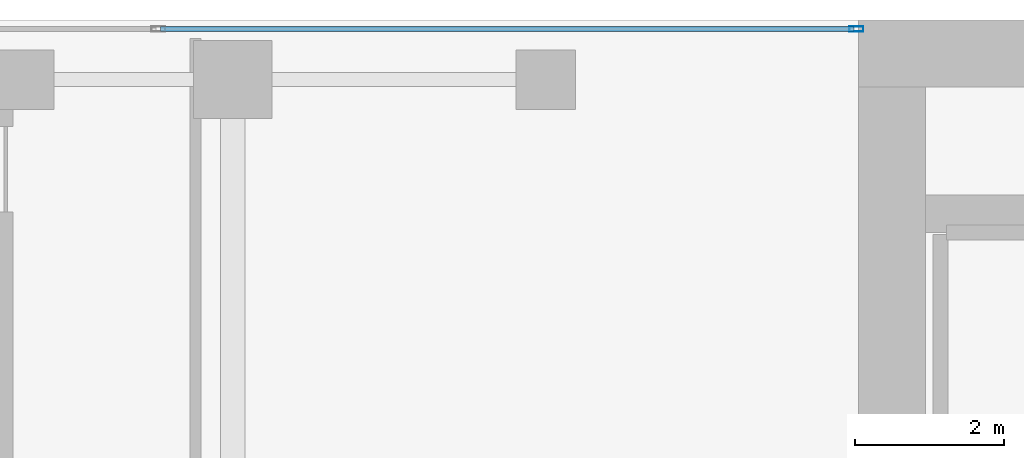
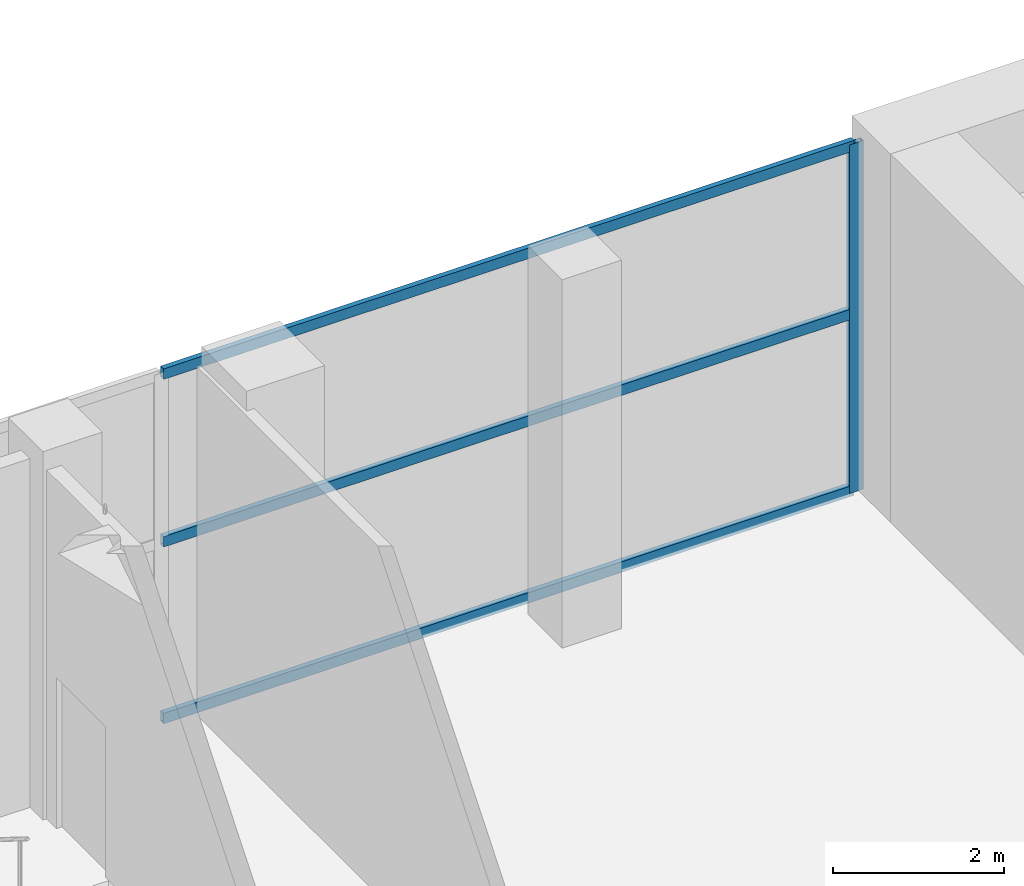
# One storey, part 21 of 40: 4 members, 1 element without a shape of its own.
"""IFC4 building model written with IfcOpenShell, lengths in metres."""

from ifc_helpers import new_model, si_unit, direction, frame, origin, origin_2d, place, context, subcontext, project, spatial, hollow_rectangle, extrude, material, layer, layer_set, material_profile, profile_set, type_object, element, aggregate, save


model = new_model("IFC4")

# Units and contexts
model_context = context("Model", 3, precision=1e-05, world=origin(), true_north=direction((0.0, 1.0)))
body_context = subcontext(model_context, "Body", "Model", "MODEL_VIEW")
ifc_project = project(units=[si_unit("LENGTHUNIT", "METRE"), si_unit("AREAUNIT", "SQUARE_METRE"), si_unit("VOLUMEUNIT", "CUBIC_METRE"), si_unit("PLANEANGLEUNIT", "RADIAN"), si_unit("MASSUNIT", "GRAM", prefix="KILO")], contexts=[model_context])

# Site, building, storey
site_placement = place(None, origin())
site = spatial("IfcSite", under=ifc_project, at=site_placement, CompositionType="ELEMENT")
building_placement = place(site_placement, origin())
building = spatial("IfcBuilding", under=site, at=building_placement, Name="Maruvema Waterfront Hotel and Observation Tower", CompositionType="ELEMENT")
storey_placement = place(building_placement, frame((0.0, 0.0, 5.60009765625)))
storey = spatial("IfcBuildingStorey", under=building, at=storey_placement, Name="L01", CompositionType="ELEMENT", Elevation=5.60009765625)

# Curtain wall, members
ifc_material_1 = material(Name="Anodised bronze aluminium and solar-control low-E IGU", Category="aluminium")
ifc_layer = layer(ifc_material_1, 0.159912109375, Name="Podium Waterfront Storefront Curtain Wall System CW-01")
ifc_layer_set = layer_set([ifc_layer], Name="Anodised bronze aluminium and solar-control low-E IGU")
curtain_wall_type = type_object("IfcCurtainWallType", Name="Podium Waterfront Storefront Curtain Wall System CW-01", PredefinedType="USERDEFINED", material=ifc_layer_set)
curtain_wall_placement = place(storey_placement, origin())
curtain_wall = element("IfcCurtainWall", 1, at=curtain_wall_placement, inside=storey, type_object=curtain_wall_type, Name="L01 Curtain Wall CW-L01-NW", ObjectType="UNITISED CURTAIN WALL", PredefinedType="USERDEFINED")
ifc_material_2 = material(Name="Anodised architectural bronze aluminium", Category="aluminium")
ifc_material_profile_1 = material_profile(ifc_material_2, hollow_rectangle(XDim=0.070068359375, YDim=0.14990234375, WallThickness=0.00390625, at=origin_2d()), Name="ALU-T70x150")
ifc_profile_set_1 = profile_set([ifc_material_profile_1], Name="Anodised architectural bronze aluminium")
member_type_1 = type_object("IfcMemberType", Name="Curtain Wall Horizontal Transom ALU-T70x150", PredefinedType="USERDEFINED", material=ifc_profile_set_1)
member_1_placement = place(storey_placement, frame((25.139892578125, 53.8798828125, 0.02978515625), z_axis=(-1.0, 0.0, 0.0), x_axis=(0.0, -1.0, 0.0)))
member_1 = element("IfcMember", 2, at=member_1_placement, type_object=member_type_1, Name="CW-01 transom 1.1", ObjectType="TRANSOM", PredefinedType="USERDEFINED", context=body_context, shape_type="SweptSolid", body=[
    extrude(hollow_rectangle(XDim=0.070068359375, YDim=0.14990234375, WallThickness=0.00390625, at=origin_2d()), origin(), (0.0, 0.0, 1.0), 9.309814453125),
])
member_2_placement = place(storey_placement, frame((25.139892578125, 53.8798828125, 2.5498046875), z_axis=(-1.0, 0.0, 0.0), x_axis=(0.0, -1.0, 0.0)))
member_2 = element("IfcMember", 3, at=member_2_placement, type_object=member_type_1, Name="CW-01 transom 1.2", ObjectType="TRANSOM", PredefinedType="USERDEFINED", context=body_context, shape_type="SweptSolid", body=[
    extrude(hollow_rectangle(XDim=0.070068359375, YDim=0.14990234375, WallThickness=0.00390625, at=origin_2d()), origin(), (0.0, 0.0, 1.0), 9.309814453125),
])
member_3_placement = place(storey_placement, frame((25.139892578125, 53.8798828125, 4.93994140625), z_axis=(-1.0, 0.0, 0.0), x_axis=(0.0, -1.0, 0.0)))
member_3 = element("IfcMember", 4, at=member_3_placement, type_object=member_type_1, Name="CW-01 transom 1.3", ObjectType="TRANSOM", PredefinedType="USERDEFINED", context=body_context, shape_type="SweptSolid", body=[
    extrude(hollow_rectangle(XDim=0.070068359375, YDim=0.14990234375, WallThickness=0.00390625, at=origin_2d()), origin(), (0.0, 0.0, 1.0), 9.309814453125),
])
ifc_material_3 = material(Name="Anodised architectural bronze aluminium", Category="aluminium")
ifc_material_profile_2 = material_profile(ifc_material_3, hollow_rectangle(XDim=0.070068359375, YDim=0.18994140625, WallThickness=0.00390625, at=origin_2d()), Name="ALU-M70x190")
ifc_profile_set_2 = profile_set([ifc_material_profile_2], Name="Anodised architectural bronze aluminium")
member_type_2 = type_object("IfcMemberType", Name="Podium Storefront Heavy Mullion ALU-M70x190", PredefinedType="MULLION", material=ifc_profile_set_2)
member_4_placement = place(storey_placement, frame((25.169921875, 53.8798828125, 0.0), z_axis=(0.0, 0.0, 1.0), x_axis=(0.0, -1.0, 0.0)))
member_4 = element("IfcMember", 5, at=member_4_placement, type_object=member_type_2, Name="CW-01 mullion 1", PredefinedType="MULLION", context=body_context, shape_type="SweptSolid", body=[
    extrude(hollow_rectangle(XDim=0.070068359375, YDim=0.18994140625, WallThickness=0.00390625, at=origin_2d()), origin(), (0.0, 0.0, 1.0), 4.969970703125),
])
aggregate(curtain_wall, [member_4, member_1, member_2, member_3])

save(model, "model.ifc")
